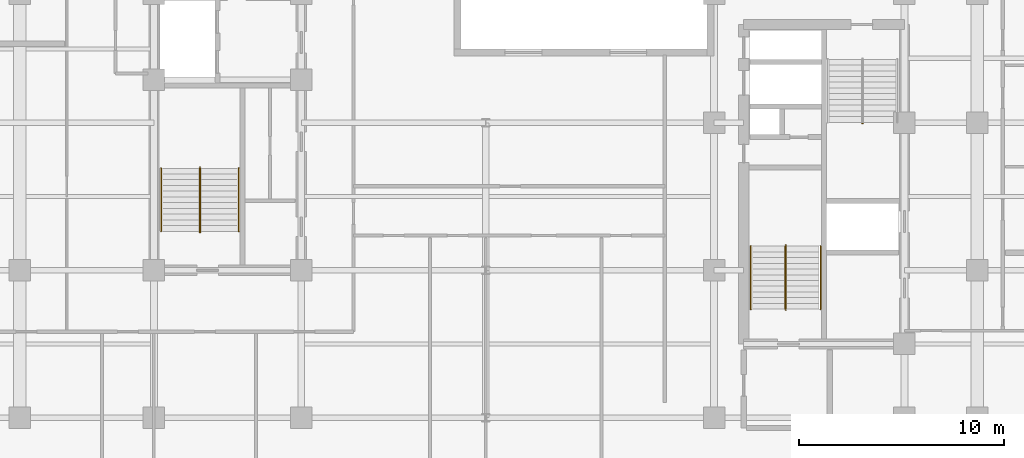
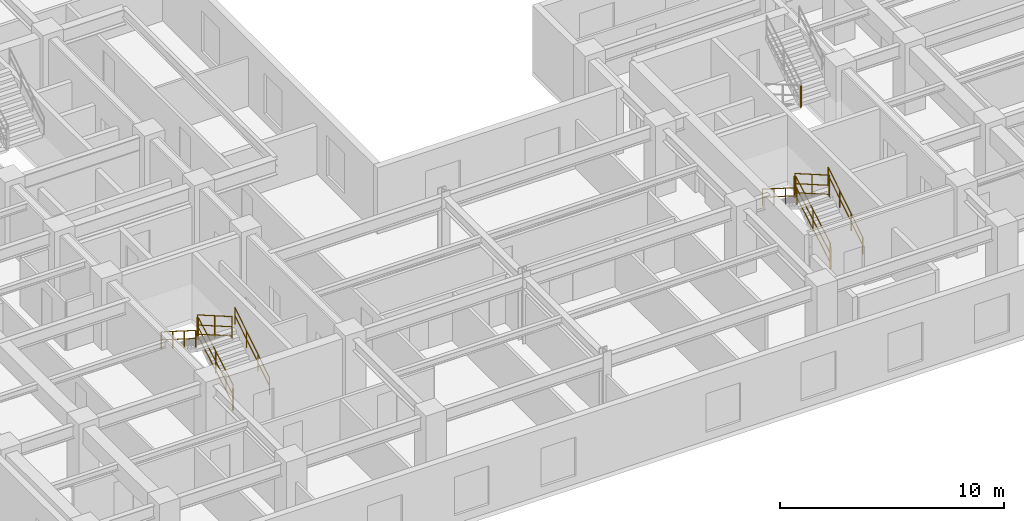
# One storey, part 8 of 10: 13 railings.
"""IFC4 building model written with IfcOpenShell, lengths in metres."""

from ifc_helpers import new_model, entity, si_unit, converted_unit, direction, frame, origin_with_axes, origin_2d_with_axis, place, context, subcontext, project, spatial, rectangle, circle, extrude, material, type_object, element, save


model = new_model("IFC4")

# Units and contexts
model_context = context("Model", 3, precision=1e-05, world=origin_with_axes(), true_north=direction((0.0, 1.0)))
body_context = subcontext(model_context, "Body", "Model", "MODEL_VIEW")
ifc_project = project(units=[si_unit("LENGTHUNIT", "METRE"), si_unit("AREAUNIT", "SQUARE_METRE"), si_unit("VOLUMEUNIT", "CUBIC_METRE"), converted_unit("PLANEANGLEUNIT", "DEGREE", entity("IfcPlaneAngleMeasure", 0.017453292519943295), si_unit("PLANEANGLEUNIT", "RADIAN"), dimensions=[0, 0, 0, 0, 0, 0, 0]), si_unit("MASSUNIT", "GRAM", prefix="KILO"), si_unit("THERMODYNAMICTEMPERATUREUNIT", "KELVIN")], contexts=[model_context])

# Site, building, storey
site_placement = place(None, origin_with_axes())
site = spatial("IfcSite", under=ifc_project, at=site_placement, CompositionType="ELEMENT")
building_placement = place(site_placement, origin_with_axes())
building = spatial("IfcBuilding", under=site, at=building_placement, Name="Varnlund Millrace Tower", CompositionType="ELEMENT")
storey_placement = place(building_placement, frame((0.0, 0.0, 183.6), z_axis=(0.0, 0.0, 1.0), x_axis=(1.0, 0.0, 0.0)))
storey = spatial("IfcBuildingStorey", under=building, at=storey_placement, Name="L45", CompositionType="ELEMENT", Elevation=183.6)

# Railings
ifc_material_1 = material(Name="Painted steel stair well balustrade guard", Category="steel")
railing_type_1 = type_object("IfcRailingType", Name="Type-StairGuard-1150", PredefinedType="GUARDRAIL", material=ifc_material_1)
railing_1_placement = place(storey_placement, frame((0.0, 0.0, -183.6), z_axis=(0.0, 0.0, 1.0), x_axis=(1.0, 0.0, 0.0)))
element("IfcRailing", 1, at=railing_1_placement, inside=storey, type_object=railing_type_1, Name="Type-StairGuard-1150", PredefinedType="GUARDRAIL", context=body_context, shape_type="SweptSolid", body=[
    extrude(circle(Radius=0.024, at=origin_2d_with_axis()), frame((13.675, 12.7, 184.927273), z_axis=(0.0, 0.866696, 0.498836), x_axis=(-1.0, 0.0, 0.0)), (0.0, 0.0, 1.0), 3.553725),
    extrude(circle(Radius=0.024, at=origin_2d_with_axis()), frame((13.675, 12.7, 183.877273), z_axis=(0.0, 0.866696, 0.498836), x_axis=(-1.0, 0.0, 0.0)), (0.0, 0.0, 1.0), 3.553725),
    extrude(circle(Radius=0.024, at=origin_2d_with_axis()), frame((13.675, 12.7, 184.375273), z_axis=(0.0, 0.866696, 0.498836), x_axis=(-1.0, 0.0, 0.0)), (0.0, 0.0, 1.0), 3.553725),
    extrude(rectangle(XDim=0.04, YDim=0.04, at=origin_2d_with_axis()), frame((13.675, 12.7, 183.737273), z_axis=(0.0, 0.0, 1.0), x_axis=(1.0, 0.0, 0.0)), (0.0, 0.0, 1.0), 1.19),
    extrude(rectangle(XDim=0.04, YDim=0.04, at=origin_2d_with_axis()), frame((13.675, 14.24, 184.623636), z_axis=(0.0, 0.0, 1.0), x_axis=(1.0, 0.0, 0.0)), (0.0, 0.0, 1.0), 1.19),
    extrude(rectangle(XDim=0.04, YDim=0.04, at=origin_2d_with_axis()), frame((13.675, 15.78, 185.51), z_axis=(0.0, 0.0, 1.0), x_axis=(1.0, 0.0, 0.0)), (0.0, 0.0, 1.0), 1.19),
])
railing_2_placement = place(storey_placement, frame((0.0, 0.0, -183.6), z_axis=(0.0, 0.0, 1.0), x_axis=(1.0, 0.0, 0.0)))
element("IfcRailing", 2, at=railing_2_placement, inside=storey, type_object=railing_type_1, Name="Type-StairGuard-1150", PredefinedType="GUARDRAIL", context=body_context, shape_type="SweptSolid", body=[
    extrude(circle(Radius=0.024, at=origin_2d_with_axis()), frame((13.625, 15.83, 186.7), z_axis=(1.0, 0.0, 0.0), x_axis=(0.0, 1.0, 0.0)), (0.0, 0.0, 1.0), 0.05),
    extrude(circle(Radius=0.024, at=origin_2d_with_axis()), frame((13.625, 15.83, 185.65), z_axis=(1.0, 0.0, 0.0), x_axis=(0.0, 1.0, 0.0)), (0.0, 0.0, 1.0), 0.05),
    extrude(circle(Radius=0.024, at=origin_2d_with_axis()), frame((13.625, 15.83, 186.148), z_axis=(1.0, 0.0, 0.0), x_axis=(0.0, 1.0, 0.0)), (0.0, 0.0, 1.0), 0.05),
    extrude(rectangle(XDim=0.04, YDim=0.04, at=origin_2d_with_axis()), frame((13.625, 15.83, 185.51), z_axis=(0.0, 0.0, 1.0), x_axis=(1.0, 0.0, 0.0)), (0.0, 0.0, 1.0), 1.19),
    extrude(rectangle(XDim=0.04, YDim=0.04, at=origin_2d_with_axis()), frame((13.675, 15.83, 185.51), z_axis=(0.0, 0.0, 1.0), x_axis=(1.0, 0.0, 0.0)), (0.0, 0.0, 1.0), 1.19),
])
railing_3_placement = place(storey_placement, frame((0.0, 0.0, -183.6), z_axis=(0.0, 0.0, 1.0), x_axis=(1.0, 0.0, 0.0)))
element("IfcRailing", 3, at=railing_3_placement, inside=storey, type_object=railing_type_1, Name="Type-StairGuard-1150", PredefinedType="GUARDRAIL", context=body_context, shape_type="SweptSolid", body=[
    extrude(circle(Radius=0.024, at=origin_2d_with_axis()), frame((13.625, 15.78, 186.877273), z_axis=(0.0, -0.866696, 0.498836), x_axis=(1.0, 0.0, 0.0)), (0.0, 0.0, 1.0), 3.553725),
    extrude(circle(Radius=0.024, at=origin_2d_with_axis()), frame((13.625, 15.78, 185.827273), z_axis=(0.0, -0.866696, 0.498836), x_axis=(1.0, 0.0, 0.0)), (0.0, 0.0, 1.0), 3.553725),
    extrude(circle(Radius=0.024, at=origin_2d_with_axis()), frame((13.625, 15.78, 186.325273), z_axis=(0.0, -0.866696, 0.498836), x_axis=(1.0, 0.0, 0.0)), (0.0, 0.0, 1.0), 3.553725),
    extrude(rectangle(XDim=0.04, YDim=0.04, at=origin_2d_with_axis()), frame((13.625, 15.78, 185.687273), z_axis=(0.0, 0.0, 1.0), x_axis=(1.0, 0.0, 0.0)), (0.0, 0.0, 1.0), 1.19),
    extrude(rectangle(XDim=0.04, YDim=0.04, at=origin_2d_with_axis()), frame((13.625, 14.24, 186.573636), z_axis=(0.0, 0.0, 1.0), x_axis=(1.0, 0.0, 0.0)), (0.0, 0.0, 1.0), 1.19),
    extrude(rectangle(XDim=0.04, YDim=0.04, at=origin_2d_with_axis()), frame((13.625, 12.7, 187.46), z_axis=(0.0, 0.0, 1.0), x_axis=(1.0, 0.0, 0.0)), (0.0, 0.0, 1.0), 1.19),
])
railing_4_placement = place(storey_placement, frame((0.0, 0.0, -183.6), z_axis=(0.0, 0.0, 1.0), x_axis=(1.0, 0.0, 0.0)))
element("IfcRailing", 4, at=railing_4_placement, inside=storey, type_object=railing_type_1, Name="Type-StairGuard-1150", PredefinedType="GUARDRAIL", context=body_context, shape_type="SweptSolid", body=[
    extrude(circle(Radius=0.024, at=origin_2d_with_axis()), frame((13.625, 12.65, 184.75), z_axis=(1.0, 0.0, 0.0), x_axis=(0.0, 1.0, 0.0)), (0.0, 0.0, 1.0), 0.05),
    extrude(circle(Radius=0.024, at=origin_2d_with_axis()), frame((13.625, 12.65, 183.7), z_axis=(1.0, 0.0, 0.0), x_axis=(0.0, 1.0, 0.0)), (0.0, 0.0, 1.0), 0.05),
    extrude(circle(Radius=0.024, at=origin_2d_with_axis()), frame((13.625, 12.65, 184.198), z_axis=(1.0, 0.0, 0.0), x_axis=(0.0, 1.0, 0.0)), (0.0, 0.0, 1.0), 0.05),
    extrude(rectangle(XDim=0.04, YDim=0.04, at=origin_2d_with_axis()), frame((13.625, 12.65, 183.56), z_axis=(0.0, 0.0, 1.0), x_axis=(1.0, 0.0, 0.0)), (0.0, 0.0, 1.0), 1.19),
    extrude(rectangle(XDim=0.04, YDim=0.04, at=origin_2d_with_axis()), frame((13.675, 12.65, 183.56), z_axis=(0.0, 0.0, 1.0), x_axis=(1.0, 0.0, 0.0)), (0.0, 0.0, 1.0), 1.19),
])
railing_5_placement = place(storey_placement, frame((0.0, 0.0, -183.6), z_axis=(0.0, 0.0, 1.0), x_axis=(1.0, 0.0, 0.0)))
element("IfcRailing", 5, at=railing_5_placement, inside=storey, type_object=railing_type_1, Name="Type-StairGuard-1150", PredefinedType="GUARDRAIL", context=body_context, shape_type="SweptSolid", body=[
    extrude(circle(Radius=0.024, at=origin_2d_with_axis()), frame((42.275, 8.9, 184.927273), z_axis=(0.0, 0.866696, 0.498836), x_axis=(-1.0, 0.0, 0.0)), (0.0, 0.0, 1.0), 3.553725),
    extrude(circle(Radius=0.024, at=origin_2d_with_axis()), frame((42.275, 8.9, 183.877273), z_axis=(0.0, 0.866696, 0.498836), x_axis=(-1.0, 0.0, 0.0)), (0.0, 0.0, 1.0), 3.553725),
    extrude(circle(Radius=0.024, at=origin_2d_with_axis()), frame((42.275, 8.9, 184.375273), z_axis=(0.0, 0.866696, 0.498836), x_axis=(-1.0, 0.0, 0.0)), (0.0, 0.0, 1.0), 3.553725),
    extrude(rectangle(XDim=0.04, YDim=0.04, at=origin_2d_with_axis()), frame((42.275, 8.9, 183.737273), z_axis=(0.0, 0.0, 1.0), x_axis=(1.0, 0.0, 0.0)), (0.0, 0.0, 1.0), 1.19),
    extrude(rectangle(XDim=0.04, YDim=0.04, at=origin_2d_with_axis()), frame((42.275, 10.44, 184.623636), z_axis=(0.0, 0.0, 1.0), x_axis=(1.0, 0.0, 0.0)), (0.0, 0.0, 1.0), 1.19),
    extrude(rectangle(XDim=0.04, YDim=0.04, at=origin_2d_with_axis()), frame((42.275, 11.98, 185.51), z_axis=(0.0, 0.0, 1.0), x_axis=(1.0, 0.0, 0.0)), (0.0, 0.0, 1.0), 1.19),
])
railing_6_placement = place(storey_placement, frame((0.0, 0.0, -183.6), z_axis=(0.0, 0.0, 1.0), x_axis=(1.0, 0.0, 0.0)))
element("IfcRailing", 6, at=railing_6_placement, inside=storey, type_object=railing_type_1, Name="Type-StairGuard-1150", PredefinedType="GUARDRAIL", context=body_context, shape_type="SweptSolid", body=[
    extrude(circle(Radius=0.024, at=origin_2d_with_axis()), frame((42.225, 12.03, 186.7), z_axis=(1.0, 0.0, 0.0), x_axis=(0.0, 1.0, 0.0)), (0.0, 0.0, 1.0), 0.05),
    extrude(circle(Radius=0.024, at=origin_2d_with_axis()), frame((42.225, 12.03, 185.65), z_axis=(1.0, 0.0, 0.0), x_axis=(0.0, 1.0, 0.0)), (0.0, 0.0, 1.0), 0.05),
    extrude(circle(Radius=0.024, at=origin_2d_with_axis()), frame((42.225, 12.03, 186.148), z_axis=(1.0, 0.0, 0.0), x_axis=(0.0, 1.0, 0.0)), (0.0, 0.0, 1.0), 0.05),
    extrude(rectangle(XDim=0.04, YDim=0.04, at=origin_2d_with_axis()), frame((42.225, 12.03, 185.51), z_axis=(0.0, 0.0, 1.0), x_axis=(1.0, 0.0, 0.0)), (0.0, 0.0, 1.0), 1.19),
    extrude(rectangle(XDim=0.04, YDim=0.04, at=origin_2d_with_axis()), frame((42.275, 12.03, 185.51), z_axis=(0.0, 0.0, 1.0), x_axis=(1.0, 0.0, 0.0)), (0.0, 0.0, 1.0), 1.19),
])
railing_7_placement = place(storey_placement, frame((0.0, 0.0, -183.6), z_axis=(0.0, 0.0, 1.0), x_axis=(1.0, 0.0, 0.0)))
element("IfcRailing", 7, at=railing_7_placement, inside=storey, type_object=railing_type_1, Name="Type-StairGuard-1150", PredefinedType="GUARDRAIL", context=body_context, shape_type="SweptSolid", body=[
    extrude(circle(Radius=0.024, at=origin_2d_with_axis()), frame((42.225, 11.98, 186.877273), z_axis=(0.0, -0.866696, 0.498836), x_axis=(1.0, 0.0, 0.0)), (0.0, 0.0, 1.0), 3.553725),
    extrude(circle(Radius=0.024, at=origin_2d_with_axis()), frame((42.225, 11.98, 185.827273), z_axis=(0.0, -0.866696, 0.498836), x_axis=(1.0, 0.0, 0.0)), (0.0, 0.0, 1.0), 3.553725),
    extrude(circle(Radius=0.024, at=origin_2d_with_axis()), frame((42.225, 11.98, 186.325273), z_axis=(0.0, -0.866696, 0.498836), x_axis=(1.0, 0.0, 0.0)), (0.0, 0.0, 1.0), 3.553725),
    extrude(rectangle(XDim=0.04, YDim=0.04, at=origin_2d_with_axis()), frame((42.225, 11.98, 185.687273), z_axis=(0.0, 0.0, 1.0), x_axis=(1.0, 0.0, 0.0)), (0.0, 0.0, 1.0), 1.19),
    extrude(rectangle(XDim=0.04, YDim=0.04, at=origin_2d_with_axis()), frame((42.225, 10.44, 186.573636), z_axis=(0.0, 0.0, 1.0), x_axis=(1.0, 0.0, 0.0)), (0.0, 0.0, 1.0), 1.19),
    extrude(rectangle(XDim=0.04, YDim=0.04, at=origin_2d_with_axis()), frame((42.225, 8.9, 187.46), z_axis=(0.0, 0.0, 1.0), x_axis=(1.0, 0.0, 0.0)), (0.0, 0.0, 1.0), 1.19),
])
railing_8_placement = place(storey_placement, frame((0.0, 0.0, -183.6), z_axis=(0.0, 0.0, 1.0), x_axis=(1.0, 0.0, 0.0)))
element("IfcRailing", 8, at=railing_8_placement, inside=storey, type_object=railing_type_1, Name="Type-StairGuard-1150", PredefinedType="GUARDRAIL", context=body_context, shape_type="SweptSolid", body=[
    extrude(circle(Radius=0.024, at=origin_2d_with_axis()), frame((42.225, 8.85, 184.75), z_axis=(1.0, 0.0, 0.0), x_axis=(0.0, 1.0, 0.0)), (0.0, 0.0, 1.0), 0.05),
    extrude(circle(Radius=0.024, at=origin_2d_with_axis()), frame((42.225, 8.85, 183.7), z_axis=(1.0, 0.0, 0.0), x_axis=(0.0, 1.0, 0.0)), (0.0, 0.0, 1.0), 0.05),
    extrude(circle(Radius=0.024, at=origin_2d_with_axis()), frame((42.225, 8.85, 184.198), z_axis=(1.0, 0.0, 0.0), x_axis=(0.0, 1.0, 0.0)), (0.0, 0.0, 1.0), 0.05),
    extrude(rectangle(XDim=0.04, YDim=0.04, at=origin_2d_with_axis()), frame((42.225, 8.85, 183.56), z_axis=(0.0, 0.0, 1.0), x_axis=(1.0, 0.0, 0.0)), (0.0, 0.0, 1.0), 1.19),
    extrude(rectangle(XDim=0.04, YDim=0.04, at=origin_2d_with_axis()), frame((42.275, 8.85, 183.56), z_axis=(0.0, 0.0, 1.0), x_axis=(1.0, 0.0, 0.0)), (0.0, 0.0, 1.0), 1.19),
])
railing_9_placement = place(storey_placement, frame((0.0, 0.0, -183.6), z_axis=(0.0, 0.0, 1.0), x_axis=(1.0, 0.0, 0.0)))
element("IfcRailing", 9, at=railing_9_placement, inside=storey, type_object=railing_type_1, Name="Type-StairGuard-1150", PredefinedType="GUARDRAIL", context=body_context, shape_type="SweptSolid", body=[
    extrude(circle(Radius=0.024, at=origin_2d_with_axis()), frame((46.025, 17.97, 186.7), z_axis=(-1.0, 0.0, 0.0), x_axis=(0.0, -1.0, 0.0)), (0.0, 0.0, 1.0), 0.05),
    extrude(circle(Radius=0.024, at=origin_2d_with_axis()), frame((46.025, 17.97, 185.65), z_axis=(-1.0, 0.0, 0.0), x_axis=(0.0, -1.0, 0.0)), (0.0, 0.0, 1.0), 0.05),
    extrude(circle(Radius=0.024, at=origin_2d_with_axis()), frame((46.025, 17.97, 186.148), z_axis=(-1.0, 0.0, 0.0), x_axis=(0.0, -1.0, 0.0)), (0.0, 0.0, 1.0), 0.05),
    extrude(rectangle(XDim=0.04, YDim=0.04, at=origin_2d_with_axis()), frame((46.025, 17.97, 185.51), z_axis=(0.0, 0.0, 1.0), x_axis=(1.0, 0.0, 0.0)), (0.0, 0.0, 1.0), 1.19),
    extrude(rectangle(XDim=0.04, YDim=0.04, at=origin_2d_with_axis()), frame((45.975, 17.97, 185.51), z_axis=(0.0, 0.0, 1.0), x_axis=(1.0, 0.0, 0.0)), (0.0, 0.0, 1.0), 1.19),
])
ifc_material_2 = material(Name="Brushed architectural bronze stair handrail", Category="aluminium")
railing_type_2 = type_object("IfcRailingType", Name="Type-StairHandrail-900", PredefinedType="HANDRAIL", material=ifc_material_2)
railing_10_placement = place(storey_placement, frame((0.0, 0.0, -183.6), z_axis=(0.0, 0.0, 1.0), x_axis=(1.0, 0.0, 0.0)))
element("IfcRailing", 10, at=railing_10_placement, inside=storey, type_object=railing_type_2, Name="Type-StairHandrail-900", PredefinedType="HANDRAIL", context=body_context, shape_type="SweptSolid", body=[
    extrude(circle(Radius=0.024, at=origin_2d_with_axis()), frame((15.55, 12.7, 184.656995), z_axis=(0.0, 0.844902, 0.534922), x_axis=(-1.0, 0.0, 0.0)), (0.0, 0.0, 1.0), 3.645394),
    extrude(circle(Radius=0.024, at=origin_2d_with_axis()), frame((15.55, 12.7, 184.217134), z_axis=(0.0, 0.844902, 0.534922), x_axis=(-1.0, 0.0, 0.0)), (0.0, 0.0, 1.0), 3.645394),
    extrude(rectangle(XDim=0.04, YDim=0.04, at=origin_2d_with_axis()), frame((15.55, 12.7, 183.737273), z_axis=(0.0, 0.0, 1.0), x_axis=(1.0, 0.0, 0.0)), (0.0, 0.0, 1.0), 0.919722),
    extrude(rectangle(XDim=0.04, YDim=0.04, at=origin_2d_with_axis()), frame((15.55, 13.726667, 184.387273), z_axis=(0.0, 0.0, 1.0), x_axis=(1.0, 0.0, 0.0)), (0.0, 0.0, 1.0), 0.919722),
    extrude(rectangle(XDim=0.04, YDim=0.04, at=origin_2d_with_axis()), frame((15.55, 14.753333, 185.037273), z_axis=(0.0, 0.0, 1.0), x_axis=(1.0, 0.0, 0.0)), (0.0, 0.0, 1.0), 0.919722),
    extrude(rectangle(XDim=0.04, YDim=0.04, at=origin_2d_with_axis()), frame((15.55, 15.78, 185.687273), z_axis=(0.0, 0.0, 1.0), x_axis=(1.0, 0.0, 0.0)), (0.0, 0.0, 1.0), 0.919722),
])
railing_11_placement = place(storey_placement, frame((0.0, 0.0, -183.6), z_axis=(0.0, 0.0, 1.0), x_axis=(1.0, 0.0, 0.0)))
element("IfcRailing", 11, at=railing_11_placement, inside=storey, type_object=railing_type_2, Name="Type-StairHandrail-900", PredefinedType="HANDRAIL", context=body_context, shape_type="SweptSolid", body=[
    extrude(circle(Radius=0.024, at=origin_2d_with_axis()), frame((11.75, 15.78, 186.606995), z_axis=(0.0, -0.844902, 0.534922), x_axis=(1.0, 0.0, 0.0)), (0.0, 0.0, 1.0), 3.645394),
    extrude(circle(Radius=0.024, at=origin_2d_with_axis()), frame((11.75, 15.78, 186.167134), z_axis=(0.0, -0.844902, 0.534922), x_axis=(1.0, 0.0, 0.0)), (0.0, 0.0, 1.0), 3.645394),
    extrude(rectangle(XDim=0.04, YDim=0.04, at=origin_2d_with_axis()), frame((11.75, 15.78, 185.687273), z_axis=(0.0, 0.0, 1.0), x_axis=(1.0, 0.0, 0.0)), (0.0, 0.0, 1.0), 0.919722),
    extrude(rectangle(XDim=0.04, YDim=0.04, at=origin_2d_with_axis()), frame((11.75, 14.753333, 186.337273), z_axis=(0.0, 0.0, 1.0), x_axis=(1.0, 0.0, 0.0)), (0.0, 0.0, 1.0), 0.919722),
    extrude(rectangle(XDim=0.04, YDim=0.04, at=origin_2d_with_axis()), frame((11.75, 13.726667, 186.987273), z_axis=(0.0, 0.0, 1.0), x_axis=(1.0, 0.0, 0.0)), (0.0, 0.0, 1.0), 0.919722),
    extrude(rectangle(XDim=0.04, YDim=0.04, at=origin_2d_with_axis()), frame((11.75, 12.7, 187.637273), z_axis=(0.0, 0.0, 1.0), x_axis=(1.0, 0.0, 0.0)), (0.0, 0.0, 1.0), 0.919722),
])
railing_12_placement = place(storey_placement, frame((0.0, 0.0, -183.6), z_axis=(0.0, 0.0, 1.0), x_axis=(1.0, 0.0, 0.0)))
element("IfcRailing", 12, at=railing_12_placement, inside=storey, type_object=railing_type_2, Name="Type-StairHandrail-900", PredefinedType="HANDRAIL", context=body_context, shape_type="SweptSolid", body=[
    extrude(circle(Radius=0.024, at=origin_2d_with_axis()), frame((43.95, 8.9, 184.656995), z_axis=(0.0, 0.844902, 0.534922), x_axis=(-1.0, 0.0, 0.0)), (0.0, 0.0, 1.0), 3.645394),
    extrude(circle(Radius=0.024, at=origin_2d_with_axis()), frame((43.95, 8.9, 184.217134), z_axis=(0.0, 0.844902, 0.534922), x_axis=(-1.0, 0.0, 0.0)), (0.0, 0.0, 1.0), 3.645394),
    extrude(rectangle(XDim=0.04, YDim=0.04, at=origin_2d_with_axis()), frame((43.95, 8.9, 183.737273), z_axis=(0.0, 0.0, 1.0), x_axis=(1.0, 0.0, 0.0)), (0.0, 0.0, 1.0), 0.919722),
    extrude(rectangle(XDim=0.04, YDim=0.04, at=origin_2d_with_axis()), frame((43.95, 9.926667, 184.387273), z_axis=(0.0, 0.0, 1.0), x_axis=(1.0, 0.0, 0.0)), (0.0, 0.0, 1.0), 0.919722),
    extrude(rectangle(XDim=0.04, YDim=0.04, at=origin_2d_with_axis()), frame((43.95, 10.953333, 185.037273), z_axis=(0.0, 0.0, 1.0), x_axis=(1.0, 0.0, 0.0)), (0.0, 0.0, 1.0), 0.919722),
    extrude(rectangle(XDim=0.04, YDim=0.04, at=origin_2d_with_axis()), frame((43.95, 11.98, 185.687273), z_axis=(0.0, 0.0, 1.0), x_axis=(1.0, 0.0, 0.0)), (0.0, 0.0, 1.0), 0.919722),
])
railing_13_placement = place(storey_placement, frame((0.0, 0.0, -183.6), z_axis=(0.0, 0.0, 1.0), x_axis=(1.0, 0.0, 0.0)))
element("IfcRailing", 13, at=railing_13_placement, inside=storey, type_object=railing_type_2, Name="Type-StairHandrail-900", PredefinedType="HANDRAIL", context=body_context, shape_type="SweptSolid", body=[
    extrude(circle(Radius=0.024, at=origin_2d_with_axis()), frame((40.55, 11.98, 186.606995), z_axis=(0.0, -0.844902, 0.534922), x_axis=(1.0, 0.0, 0.0)), (0.0, 0.0, 1.0), 3.645394),
    extrude(circle(Radius=0.024, at=origin_2d_with_axis()), frame((40.55, 11.98, 186.167134), z_axis=(0.0, -0.844902, 0.534922), x_axis=(1.0, 0.0, 0.0)), (0.0, 0.0, 1.0), 3.645394),
    extrude(rectangle(XDim=0.04, YDim=0.04, at=origin_2d_with_axis()), frame((40.55, 11.98, 185.687273), z_axis=(0.0, 0.0, 1.0), x_axis=(1.0, 0.0, 0.0)), (0.0, 0.0, 1.0), 0.919722),
    extrude(rectangle(XDim=0.04, YDim=0.04, at=origin_2d_with_axis()), frame((40.55, 10.953333, 186.337273), z_axis=(0.0, 0.0, 1.0), x_axis=(1.0, 0.0, 0.0)), (0.0, 0.0, 1.0), 0.919722),
    extrude(rectangle(XDim=0.04, YDim=0.04, at=origin_2d_with_axis()), frame((40.55, 9.926667, 186.987273), z_axis=(0.0, 0.0, 1.0), x_axis=(1.0, 0.0, 0.0)), (0.0, 0.0, 1.0), 0.919722),
    extrude(rectangle(XDim=0.04, YDim=0.04, at=origin_2d_with_axis()), frame((40.55, 8.9, 187.637273), z_axis=(0.0, 0.0, 1.0), x_axis=(1.0, 0.0, 0.0)), (0.0, 0.0, 1.0), 0.919722),
])

save(model, "model.ifc")
